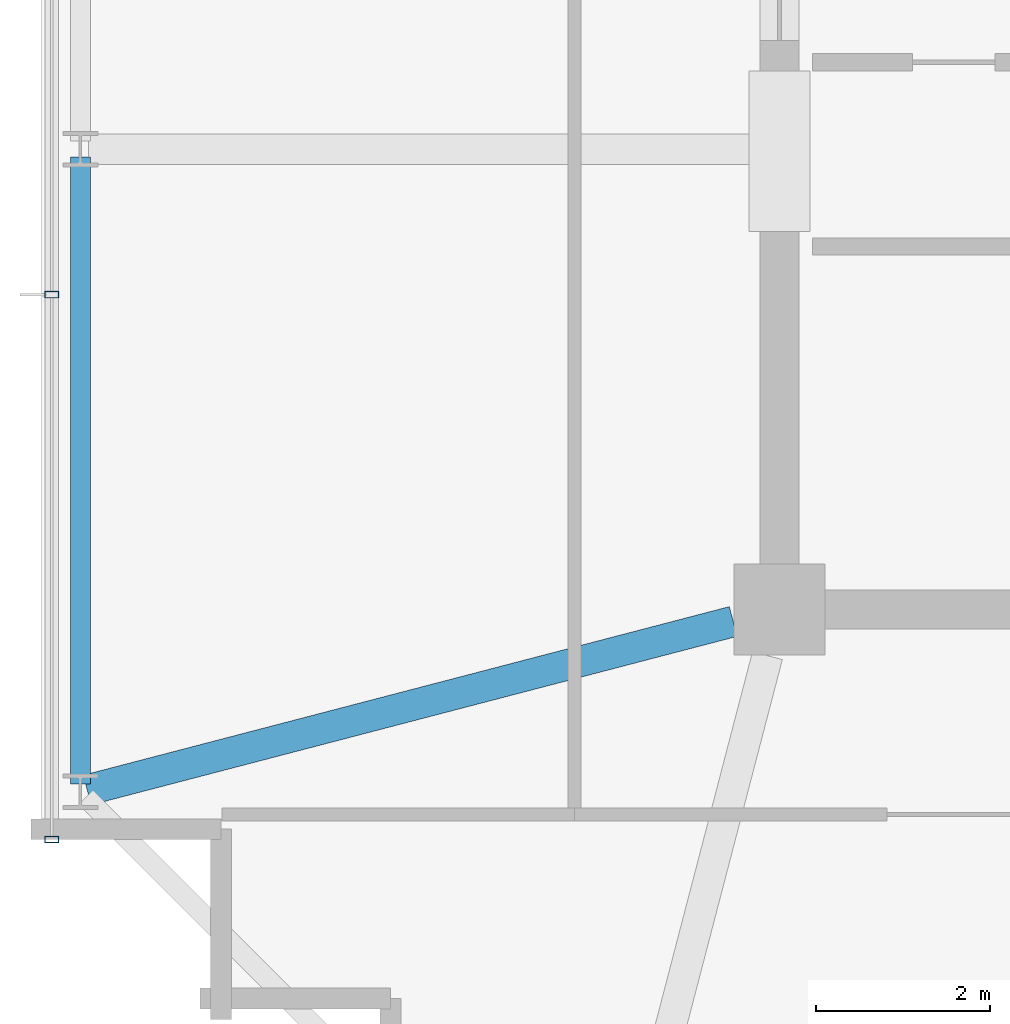
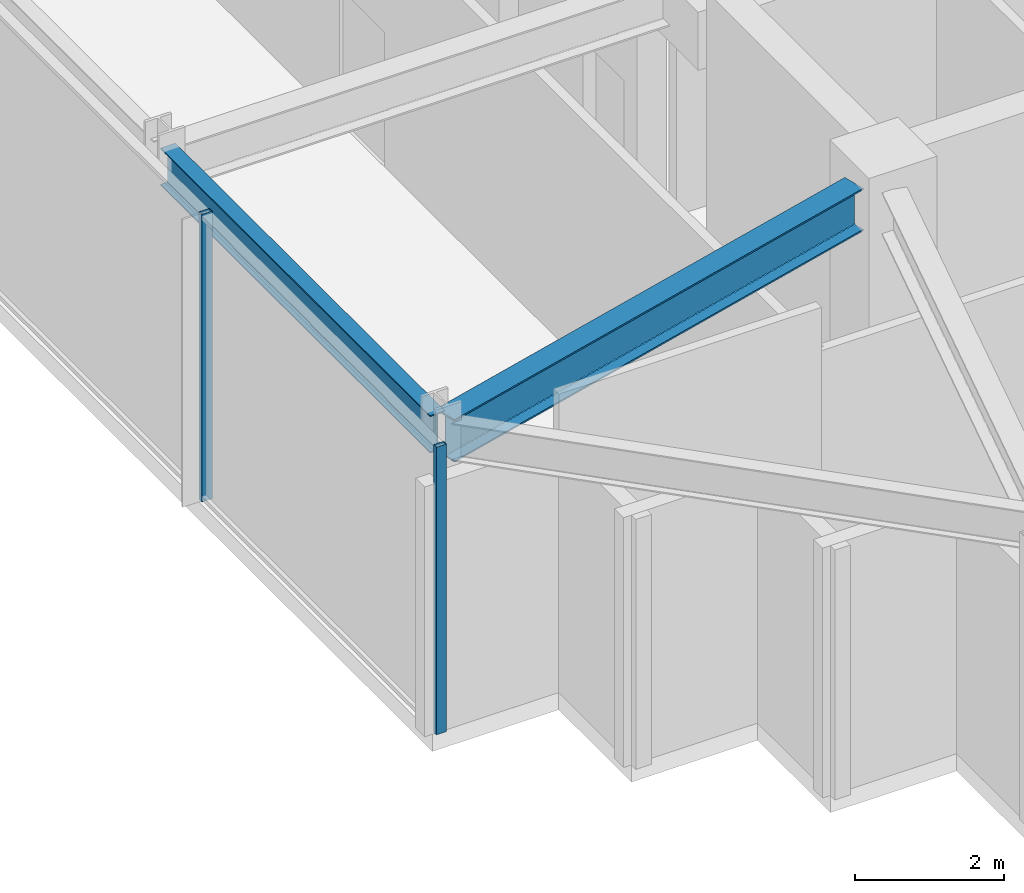
# One storey, part 4 of 31: 2 beams, 2 members, 1 element without a shape of its own.
"""IFC4 building model written with IfcOpenShell, lengths in metres."""

from ifc_helpers import new_model, si_unit, direction, frame, origin, origin_2d, place, context, subcontext, project, spatial, hollow_rectangle, i_section, extrude, material, material_profile, profile_set, type_object, element, aggregate, save


model = new_model("IFC4")

# Units and contexts
model_context = context("Model", 3, precision=1e-05, world=origin(), true_north=direction((0.0, 1.0)))
body_context = subcontext(model_context, "Body", "Model", "MODEL_VIEW")
ifc_project = project(units=[si_unit("LENGTHUNIT", "METRE"), si_unit("AREAUNIT", "SQUARE_METRE"), si_unit("VOLUMEUNIT", "CUBIC_METRE"), si_unit("PLANEANGLEUNIT", "RADIAN"), si_unit("MASSUNIT", "GRAM", prefix="KILO")], contexts=[model_context])

# Site, building, storey
site_placement = place(None, origin())
site = spatial("IfcSite", under=ifc_project, at=site_placement, CompositionType="ELEMENT")
building_placement = place(site_placement, origin())
building = spatial("IfcBuilding", under=site, at=building_placement, Name="Kolvaren Belvedere", CompositionType="ELEMENT")
storey_placement = place(building_placement, frame((0.0, 0.0, 267.39990234375)))
storey = spatial("IfcBuildingStorey", under=building, at=storey_placement, Name="L77", CompositionType="ELEMENT", Elevation=267.39990234375)

# Beams
ifc_material_1 = material(Name="Structural steel ASTM A992 Grade 50", Category="steel")
ifc_material_profile_1 = material_profile(ifc_material_1, i_section(OverallWidth=0.35498046875, OverallDepth=0.696044921875, WebThickness=0.015380859375, FlangeThickness=0.02490234375, FilletRadius=0.02197265625, at=origin_2d()), Name="W27X146")
ifc_profile_set_1 = profile_set([ifc_material_profile_1], Name="Structural steel ASTM A992 Grade 50")
beam_type_1 = type_object("IfcBeamType", Name="BM-GIRD-W27X146", PredefinedType="BEAM", material=ifc_profile_set_1)
beam_1_placement = place(storey_placement, frame((-10.43212890625, -10.038818359375, 4.35205078125), z_axis=(-0.967614911708, -0.252430946281, 0.0), x_axis=(0.252430946281, -0.967614911708, 0.0)))
element("IfcBeam", 1, at=beam_1_placement, inside=storey, type_object=beam_type_1, Name="L77 Corner Core-to-Perimeter Girder CC1-W1", PredefinedType="BEAM", context=body_context, shape_type="SweptSolid", body=[
    extrude(i_section(OverallWidth=0.35498046875, OverallDepth=0.696044921875, WebThickness=0.015380859375, FlangeThickness=0.02490234375, FilletRadius=0.02197265625, at=origin_2d()), origin(), (0.0, 0.0, 1.0), 7.68798828125),
])
ifc_material_2 = material(Name="Structural steel ASTM A992 Grade 50", Category="steel")
ifc_material_profile_2 = material_profile(ifc_material_2, i_section(OverallWidth=0.22900390625, OverallDepth=0.612060546875, WebThickness=0.011962890625, FlangeThickness=0.01953125, FilletRadius=0.01806640625, at=origin_2d()), Name="W24X84")
ifc_profile_set_2 = profile_set([ifc_material_profile_2], Name="Structural steel ASTM A992 Grade 50")
beam_type_2 = type_object("IfcBeamType", Name="BM-SPAN-W24X84", PredefinedType="SPANDREL", material=ifc_profile_set_2)
beam_2_placement = place(storey_placement, frame((-17.949951171875, -4.691650390625, 4.39404296875), z_axis=(0.0, -1.0, 0.0), x_axis=(1.0, 0.0, 0.0)))
element("IfcBeam", 2, at=beam_2_placement, inside=storey, type_object=beam_type_2, Name="L77 Perimeter Spandrel W2-W1", PredefinedType="SPANDREL", context=body_context, shape_type="SweptSolid", body=[
    extrude(i_section(OverallWidth=0.22900390625, OverallDepth=0.612060546875, WebThickness=0.011962890625, FlangeThickness=0.01953125, FilletRadius=0.01806640625, at=origin_2d()), origin(), (0.0, 0.0, 1.0), 7.216796875),
])

# Curtain wall, members
ifc_material_3 = material(Name="Anodised pale-metal aluminium AA 6063-T6", Category="aluminium")
curtain_wall_type = type_object("IfcCurtainWallType", Name="CW-CRN-OBS", PredefinedType="NOTDEFINED", material=ifc_material_3)
curtain_wall_placement = place(storey_placement, origin())
curtain_wall = element("IfcCurtainWall", 3, at=curtain_wall_placement, inside=storey, type_object=curtain_wall_type, Name="L77 Unitised Curtain Wall FCW-L77-W", PredefinedType="NOTDEFINED")
ifc_material_4 = material(Name="Anodised pale-metal aluminium AA 6063-T6", Category="aluminium")
ifc_material_profile_3 = material_profile(ifc_material_4, hollow_rectangle(XDim=0.074951171875, YDim=0.159912109375, WallThickness=0.00439453125, at=origin_2d()), Name="ALU-MUL-160X75")
ifc_profile_set_3 = profile_set([ifc_material_profile_3], Name="Anodised pale-metal aluminium AA 6063-T6")
member_type = type_object("IfcMemberType", Name="CW-MUL-160", PredefinedType="MULLION", material=ifc_profile_set_3)
member_1_placement = place(storey_placement, frame((-18.280029296875, -12.550048828125, 0.0), z_axis=(0.0, 0.0, 1.0), x_axis=(0.0, 1.0, 0.0)))
member_1 = element("IfcMember", 4, at=member_1_placement, type_object=member_type, Name="FCW-L77-W Unitised Mullion 1", PredefinedType="MULLION", context=body_context, shape_type="SweptSolid", body=[
    extrude(hollow_rectangle(XDim=0.074951171875, YDim=0.159912109375, WallThickness=0.00439453125, at=origin_2d()), origin(), (0.0, 0.0, 1.0), 4.7001953125),
])
member_2_placement = place(storey_placement, frame((-18.280029296875, -6.27490234375, 0.0), z_axis=(0.0, 0.0, 1.0), x_axis=(0.0, 1.0, 0.0)))
member_2 = element("IfcMember", 5, at=member_2_placement, type_object=member_type, Name="FCW-L77-W Unitised Mullion 2", PredefinedType="MULLION", context=body_context, shape_type="SweptSolid", body=[
    extrude(hollow_rectangle(XDim=0.074951171875, YDim=0.159912109375, WallThickness=0.00439453125, at=origin_2d()), origin(), (0.0, 0.0, 1.0), 4.7001953125),
])
aggregate(curtain_wall, [member_1, member_2])

save(model, "model.ifc")
